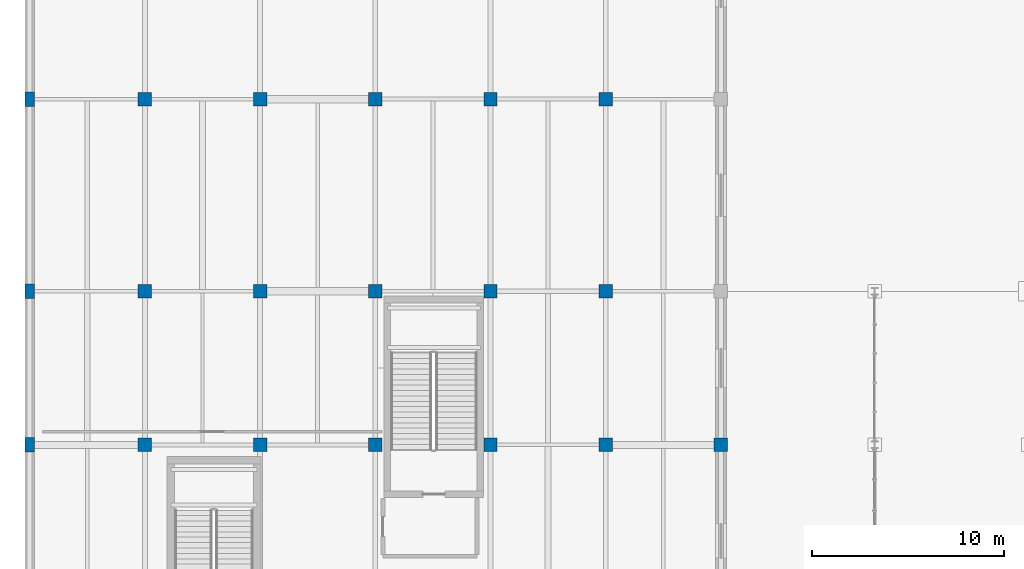
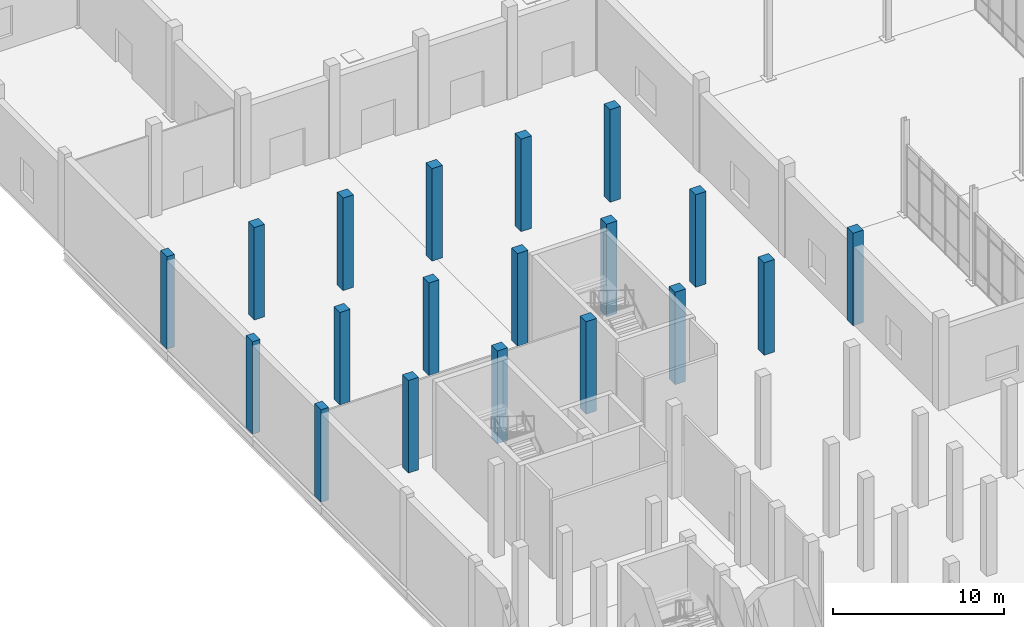
# One storey, part 9 of 140: 19 columns.
"""IFC4 building model written with IfcOpenShell, lengths in metres."""

from ifc_helpers import new_model, si_unit, direction, frame, origin, origin_2d, place, context, subcontext, project, spatial, rectangle, extrude, material, material_profile, profile_set, type_object, element, save


model = new_model("IFC4")

# Units and contexts
model_context = context("Model", 3, precision=1e-05, world=origin(), true_north=direction((0.0, 1.0)))
body_context = subcontext(model_context, "Body", "Model", "MODEL_VIEW")
ifc_project = project(units=[si_unit("LENGTHUNIT", "METRE"), si_unit("AREAUNIT", "SQUARE_METRE"), si_unit("VOLUMEUNIT", "CUBIC_METRE"), si_unit("PLANEANGLEUNIT", "RADIAN"), si_unit("MASSUNIT", "GRAM", prefix="KILO")], contexts=[model_context])

# Site, building, storey
site_placement = place(None, origin())
site = spatial("IfcSite", under=ifc_project, at=site_placement, CompositionType="ELEMENT")
building_placement = place(site_placement, origin())
building = spatial("IfcBuilding", under=site, at=building_placement, Name="Verrall Gate Interchange", CompositionType="ELEMENT")
storey_placement = place(building_placement, origin())
storey = spatial("IfcBuildingStorey", under=building, at=storey_placement, Name="L01", CompositionType="ELEMENT", Elevation=0.0)

# Columns
ifc_material_1 = material(Name="Concrete CSA A23.1 40 MPa (Class N)", Category="concrete")
ifc_material_profile_1 = material_profile(ifc_material_1, rectangle(XDim=0.699951171875, YDim=0.699951171875, at=origin_2d()), Name="RC700x700")
ifc_profile_set_1 = profile_set([ifc_material_profile_1], Name="Concrete CSA A23.1 40 MPa (Class N)")
column_type_1 = type_object("IfcColumnType", Name="C-03 Column RC700x700", PredefinedType="COLUMN", material=ifc_profile_set_1)
for number, where, z_axis, x_axis, name in (
    (1, (6.0, 66.0, 0.0), (0.0, 0.0, 1.0), (1.0, 0.0, 0.0), "L01 Column COL-L01-0226 (C-03)"),
    (2, (6.0, 74.0, 0.0), (0.0, 0.0, 1.0), (1.0, 0.0, 0.0), "L01 Column COL-L01-0233 (C-03)"),
    (3, (6.0, 84.0, 0.0), (0.0, 0.0, 1.0), (1.0, 0.0, 0.0), "L01 Column COL-L01-0239 (C-03)"),
    (4, (12.0, 66.0, 0.0), (0.0, 0.0, 1.0), (1.0, 0.0, 0.0), "L01 Column COL-L01-0343 (C-03)"),
    (5, (12.0, 74.0, 0.0), (0.0, 0.0, 1.0), (1.0, 0.0, 0.0), "L01 Column COL-L01-0350 (C-03)"),
    (6, (12.0, 84.0, 0.0), (0.0, 0.0, 1.0), (1.0, 0.0, 0.0), "L01 Column COL-L01-0356 (C-03)"),
    (7, (18.0, 66.0, 0.0), (0.0, 0.0, 1.0), (1.0, 0.0, 0.0), "L01 Column COL-L01-0460 (C-03)"),
    (8, (18.0, 74.0, 0.0), (0.0, 0.0, 1.0), (1.0, 0.0, 0.0), "L01 Column COL-L01-0467 (C-03)"),
    (9, (18.0, 84.0, 0.0), (0.0, 0.0, 1.0), (1.0, 0.0, 0.0), "L01 Column COL-L01-0473 (C-03)"),
    (10, (24.0, 66.0, 0.0), (0.0, 0.0, 1.0), (1.0, 0.0, 0.0), "L01 Column COL-L01-0577 (C-03)"),
    (11, (24.0, 74.0, 0.0), (0.0, 0.0, 1.0), (1.0, 0.0, 0.0), "L01 Column COL-L01-0584 (C-03)"),
    (12, (24.0, 84.0, 0.0), (0.0, 0.0, 1.0), (1.0, 0.0, 0.0), "L01 Column COL-L01-0590 (C-03)"),
    (13, (30.0, 66.0, 0.0), (0.0, 0.0, 1.0), (1.0, 0.0, 0.0), "L01 Column COL-L01-0694 (C-03)"),
    (14, (30.0, 74.0, 0.0), (0.0, 0.0, 1.0), (1.0, 0.0, 0.0), "L01 Column COL-L01-0701 (C-03)"),
    (15, (30.0, 84.0, 0.0), (0.0, 0.0, 1.0), (1.0, 0.0, 0.0), "L01 Column COL-L01-0707 (C-03)"),
    (16, (36.0, 66.0, 0.0), (0.0, 0.0, 1.0), (1.0, 0.0, 0.0), "L01 Column COL-L01-0804 (C-03)"),
):
    element("IfcColumn", number, at=place(storey_placement, frame(where, z_axis=z_axis, x_axis=x_axis)), inside=storey, type_object=column_type_1, Name=name, PredefinedType="COLUMN", context=body_context, shape_type="SweptSolid", body=[
        extrude(rectangle(XDim=0.699951171875, YDim=0.699951171875, at=origin_2d()), origin(), (0.0, 0.0, 1.0), 6.60009765625),
    ])
ifc_material_2 = material(Name="Concrete CSA A23.1 40 MPa (Class C-1)", Category="concrete")
ifc_material_profile_2 = material_profile(ifc_material_2, rectangle(XDim=0.5, YDim=0.75, at=origin_2d()), Name="RC500x750")
ifc_profile_set_2 = profile_set([ifc_material_profile_2], Name="Concrete CSA A23.1 40 MPa (Class C-1)")
column_type_2 = type_object("IfcColumnType", Name="C-05 Pilaster RC500x750", PredefinedType="PILASTER", material=ifc_profile_set_2)
for number, where, z_axis, x_axis, name in (
    (17, (0.0, 66.0, 0.0), (0.0, 0.0, 1.0), (1.0, 0.0, 0.0), "L01 Column COL-L01-0081 (C-05)"),
    (18, (0.0, 74.0, 0.0), (0.0, 0.0, 1.0), (1.0, 0.0, 0.0), "L01 Column COL-L01-0088 (C-05)"),
    (19, (0.0, 84.0, 0.0), (0.0, 0.0, 1.0), (1.0, 0.0, 0.0), "L01 Column COL-L01-0094 (C-05)"),
):
    element("IfcColumn", number, at=place(storey_placement, frame(where, z_axis=z_axis, x_axis=x_axis)), inside=storey, type_object=column_type_2, Name=name, PredefinedType="PILASTER", context=body_context, shape_type="SweptSolid", body=[
        extrude(rectangle(XDim=0.5, YDim=0.75, at=origin_2d()), origin(), (0.0, 0.0, 1.0), 6.60009765625),
    ])

save(model, "model.ifc")
